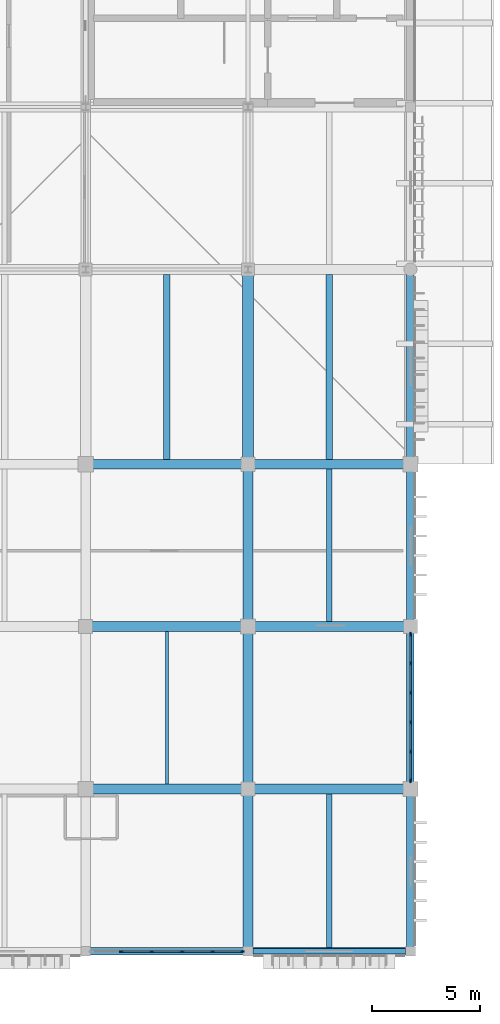
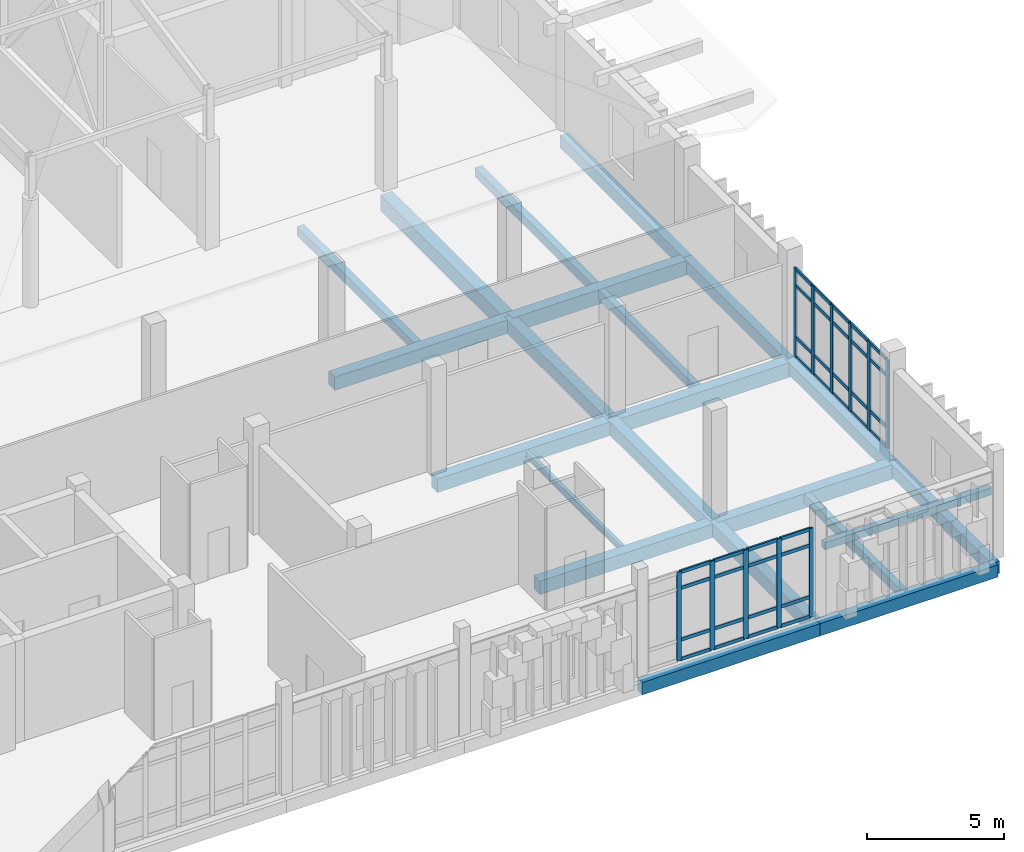
# One storey, part 65 of 131: 47 members, 22 beams, 2 elements without a shape of their own.
"""IFC4 building model written with IfcOpenShell, lengths in metres."""

from ifc_helpers import new_model, si_unit, direction, frame, origin, origin_2d, place, context, subcontext, project, spatial, rectangle, i_section, extrude, material, layer, layer_set, material_profile, profile_set, type_object, element, aggregate, save


model = new_model("IFC4")

# Units and contexts
model_context = context("Model", 3, precision=1e-05, world=origin(), true_north=direction((0.0, 1.0)))
body_context = subcontext(model_context, "Body", "Model", "MODEL_VIEW")
ifc_project = project(units=[si_unit("LENGTHUNIT", "METRE"), si_unit("AREAUNIT", "SQUARE_METRE"), si_unit("VOLUMEUNIT", "CUBIC_METRE"), si_unit("PLANEANGLEUNIT", "RADIAN"), si_unit("MASSUNIT", "GRAM", prefix="KILO")], contexts=[model_context])

# Site, building, storey
site_placement = place(None, origin())
site = spatial("IfcSite", under=ifc_project, at=site_placement, CompositionType="ELEMENT")
building_placement = place(site_placement, origin())
building = spatial("IfcBuilding", under=site, at=building_placement, Name="Dalvernix Boulevard General Hospital", CompositionType="ELEMENT")
storey_placement = place(building_placement, frame((0.0, 0.0, 9.300048828125)))
storey = spatial("IfcBuildingStorey", under=building, at=storey_placement, Name="L02", CompositionType="ELEMENT", Elevation=9.300048828125)

# Beams
ifc_material_1 = material(Name="Concrete C35/45", Category="concrete")
ifc_material_profile_1 = material_profile(ifc_material_1, rectangle(XDim=0.5, YDim=0.699951171875, at=origin_2d()), Name="RCB 500x700")
ifc_profile_set_1 = profile_set([ifc_material_profile_1], Name="Concrete C35/45")
beam_type_1 = type_object("IfcBeamType", Name="BM-B-01-I", PredefinedType="BEAM", material=ifc_profile_set_1)
beam_1_placement = place(storey_placement, frame((165.0, 22.5, -0.670166015625), z_axis=(0.0, 1.0, 0.0), x_axis=(-1.0, 0.0, 0.0)))
element("IfcBeam", 1, at=beam_1_placement, inside=storey, type_object=beam_type_1, Name="L02 N-S girder 23:D-E", PredefinedType="BEAM", context=body_context, shape_type="SweptSolid", body=[
    extrude(rectangle(XDim=0.5, YDim=0.699951171875, at=origin_2d()), origin(), (0.0, 0.0, 1.0), 9.0),
])
ifc_material_profile_2 = material_profile(ifc_material_1, rectangle(XDim=0.449951171875, YDim=0.64990234375, at=origin_2d()), Name="RCB 450x650")
ifc_profile_set_2 = profile_set([ifc_material_profile_2], Name="Concrete C35/45")
beam_type_2 = type_object("IfcBeamType", Name="BM-B-03-I", PredefinedType="BEAM", material=ifc_profile_set_2)
for number, where, z_axis, x_axis, name in (
    (2, (165.0, 7.5, -0.64501953125), (1.0, 0.0, 0.0), (0.0, 1.0, 0.0), "L02 E-W girder B:23-24"),
    (3, (165.0, 15.0, -0.64501953125), (1.0, 0.0, 0.0), (0.0, 1.0, 0.0), "L02 E-W girder C:23-24"),
    (4, (165.0, 22.5, -0.64501953125), (1.0, 0.0, 0.0), (0.0, 1.0, 0.0), "L02 E-W girder D:23-24"),
):
    element("IfcBeam", number, at=place(storey_placement, frame(where, z_axis=z_axis, x_axis=x_axis)), inside=storey, type_object=beam_type_2, Name=name, PredefinedType="BEAM", context=body_context, shape_type="SweptSolid", body=[
        extrude(rectangle(XDim=0.449951171875, YDim=0.64990234375, at=origin_2d()), origin(), (0.0, 0.0, 1.0), 7.5),
    ])
ifc_material_profile_3 = material_profile(ifc_material_1, rectangle(XDim=0.449951171875, YDim=0.60009765625, at=origin_2d()), Name="RCB 450x600")
ifc_profile_set_3 = profile_set([ifc_material_profile_3], Name="Concrete C35/45")
beam_type_3 = type_object("IfcBeamType", Name="BM-B-04-I", PredefinedType="BEAM", material=ifc_profile_set_3)
for number, where, z_axis, x_axis, name in (
    (5, (157.5, 7.5, -0.6201171875), (1.0, 0.0, 0.0), (0.0, 1.0, 0.0), "L02 E-W girder B:22-23"),
    (6, (157.5, 15.0, -0.6201171875), (1.0, 0.0, 0.0), (0.0, 1.0, 0.0), "L02 E-W girder C:22-23"),
    (7, (157.5, 22.5, -0.6201171875), (1.0, 0.0, 0.0), (0.0, 1.0, 0.0), "L02 E-W girder D:22-23"),
    (8, (165.0, 0.0, -0.6201171875), (0.0, 1.0, 0.0), (-1.0, 0.0, 0.0), "L02 N-S girder 23:A-B"),
    (9, (165.0, 7.5, -0.6201171875), (0.0, 1.0, 0.0), (-1.0, 0.0, 0.0), "L02 N-S girder 23:B-C"),
    (10, (165.0, 15.0, -0.6201171875), (0.0, 1.0, 0.0), (-1.0, 0.0, 0.0), "L02 N-S girder 23:C-D"),
):
    element("IfcBeam", number, at=place(storey_placement, frame(where, z_axis=z_axis, x_axis=x_axis)), inside=storey, type_object=beam_type_3, Name=name, PredefinedType="BEAM", context=body_context, shape_type="SweptSolid", body=[
        extrude(rectangle(XDim=0.449951171875, YDim=0.60009765625, at=origin_2d()), origin(), (0.0, 0.0, 1.0), 7.5),
    ])
ifc_material_profile_4 = material_profile(ifc_material_1, rectangle(XDim=0.300048828125, YDim=0.39990234375, at=origin_2d()), Name="RCB 300x400")
ifc_profile_set_4 = profile_set([ifc_material_profile_4], Name="Concrete C35/45")
beam_type_4 = type_object("IfcBeamType", Name="BM-JB-01", PredefinedType="JOIST", material=ifc_profile_set_4)
for number, where, z_axis, x_axis, name in (
    (11, (161.25, 22.72509765625, -0.52001953125), (0.0, 1.0, 0.0), (-1.0, 0.0, 0.0), "L02 secondary floor beam 22-D"),
    (12, (168.75, 22.72509765625, -0.52001953125), (0.0, 1.0, 0.0), (-1.0, 0.0, 0.0), "L02 secondary floor beam 23-D"),
):
    element("IfcBeam", number, at=place(storey_placement, frame(where, z_axis=z_axis, x_axis=x_axis)), inside=storey, type_object=beam_type_4, Name=name, PredefinedType="JOIST", context=body_context, shape_type="SweptSolid", body=[
        extrude(rectangle(XDim=0.300048828125, YDim=0.39990234375, at=origin_2d()), origin(), (0.0, 0.0, 1.0), 8.5498046875),
    ])
ifc_material_profile_5 = material_profile(ifc_material_1, rectangle(XDim=0.25, YDim=0.39990234375, at=origin_2d()), Name="RCB 250x400")
ifc_profile_set_5 = profile_set([ifc_material_profile_5], Name="Concrete C35/45")
beam_type_5 = type_object("IfcBeamType", Name="BM-JB-02", PredefinedType="JOIST", material=ifc_profile_set_5)
beam_2_placement = place(storey_placement, frame((168.75, 0.175048828125, -0.52001953125), z_axis=(0.0, 1.0, 0.0), x_axis=(-1.0, 0.0, 0.0)))
element("IfcBeam", 13, at=beam_2_placement, inside=storey, type_object=beam_type_5, Name="L02 secondary floor beam 23-A", PredefinedType="JOIST", context=body_context, shape_type="SweptSolid", body=[
    extrude(rectangle(XDim=0.25, YDim=0.39990234375, at=origin_2d()), origin(), (0.0, 0.0, 1.0), 7.099853515625),
])
beam_3_placement = place(storey_placement, frame((168.75, 15.22509765625, -0.52001953125), z_axis=(0.0, 1.0, 0.0), x_axis=(-1.0, 0.0, 0.0)))
element("IfcBeam", 14, at=beam_3_placement, inside=storey, type_object=beam_type_5, Name="L02 secondary floor beam 23-C", PredefinedType="JOIST", context=body_context, shape_type="SweptSolid", body=[
    extrude(rectangle(XDim=0.25, YDim=0.39990234375, at=origin_2d()), origin(), (0.0, 0.0, 1.0), 7.0498046875),
])
ifc_material_2 = material(Name="Steel S355", Category="steel")
ifc_material_profile_6 = material_profile(ifc_material_2, i_section(OverallWidth=0.14990234375, OverallDepth=0.300048828125, WebThickness=0.007080078125, FlangeThickness=0.0107421875, FilletRadius=0.014892578125, at=origin_2d()), Name="IPE 300")
ifc_profile_set_6 = profile_set([ifc_material_profile_6], Name="Steel S355")
beam_type_6 = type_object("IfcBeamType", Name="BM-JB-03", PredefinedType="JOIST", material=ifc_profile_set_6)
beam_4_placement = place(storey_placement, frame((161.25, 7.72509765625, -0.469970703125), z_axis=(0.0, 1.0, 0.0), x_axis=(-1.0, 0.0, 0.0)))
element("IfcBeam", 15, at=beam_4_placement, inside=storey, type_object=beam_type_6, Name="L02 secondary floor beam 22-B", PredefinedType="JOIST", context=body_context, shape_type="SweptSolid", body=[
    extrude(i_section(OverallWidth=0.14990234375, OverallDepth=0.300048828125, WebThickness=0.007080078125, FlangeThickness=0.0107421875, FilletRadius=0.014892578125, at=origin_2d()), origin(), (0.0, 0.0, 1.0), 7.0498046875),
])
ifc_material_3 = material(Name="Precast concrete C40/50", Category="concrete")
ifc_material_profile_7 = material_profile(ifc_material_3, rectangle(XDim=0.25, YDim=0.320068359375, at=origin_2d()), Name="RCL 250x320")
ifc_profile_set_7 = profile_set([ifc_material_profile_7], Name="Precast concrete C40/50")
beam_type_7 = type_object("IfcBeamType", Name="BM-LB-01", PredefinedType="LINTEL", material=ifc_profile_set_7)
beam_5_placement = place(storey_placement, frame((172.264892578125, 0.0, 3.010009765625), z_axis=(-1.0, 0.0, 0.0), x_axis=(0.0, -1.0, 0.0)))
element("IfcBeam", 16, at=beam_5_placement, inside=storey, type_object=beam_type_7, Name="L02 precast window lintel S 22-0", PredefinedType="LINTEL", context=body_context, shape_type="SweptSolid", body=[
    extrude(rectangle(XDim=0.25, YDim=0.320068359375, at=origin_2d()), origin(), (0.0, 0.0, 1.0), 7.02978515625),
])
ifc_material_profile_8 = material_profile(ifc_material_1, rectangle(XDim=0.35009765625, YDim=0.550048828125, at=origin_2d()), Name="RCB 350x550")
ifc_profile_set_8 = profile_set([ifc_material_profile_8], Name="Concrete C35/45")
beam_type_8 = type_object("IfcBeamType", Name="BM-SB-01-E", PredefinedType="SPANDREL", material=ifc_profile_set_8)
for number, where, z_axis, x_axis, name in (
    (17, (157.5, 0.0, -0.594970703125), (1.0, 0.0, 0.0), (0.0, 1.0, 0.0), "L02 E-W girder A:22-23"),
    (18, (165.0, 0.0, -0.594970703125), (1.0, 0.0, 0.0), (0.0, 1.0, 0.0), "L02 E-W girder A:23-24"),
    (19, (172.5, 0.0, -0.594970703125), (0.0, 1.0, 0.0), (-1.0, 0.0, 0.0), "L02 N-S girder 24:A-B"),
    (20, (172.5, 7.5, -0.594970703125), (0.0, 1.0, 0.0), (-1.0, 0.0, 0.0), "L02 N-S girder 24:B-C"),
    (21, (172.5, 15.0, -0.594970703125), (0.0, 1.0, 0.0), (-1.0, 0.0, 0.0), "L02 N-S girder 24:C-D"),
):
    element("IfcBeam", number, at=place(storey_placement, frame(where, z_axis=z_axis, x_axis=x_axis)), inside=storey, type_object=beam_type_8, Name=name, PredefinedType="SPANDREL", context=body_context, shape_type="SweptSolid", body=[
        extrude(rectangle(XDim=0.35009765625, YDim=0.550048828125, at=origin_2d()), origin(), (0.0, 0.0, 1.0), 7.5),
    ])
beam_6_placement = place(storey_placement, frame((172.5, 22.5, -0.594970703125), z_axis=(0.0, 1.0, 0.0), x_axis=(-1.0, 0.0, 0.0)))
element("IfcBeam", 22, at=beam_6_placement, inside=storey, type_object=beam_type_8, Name="L02 N-S girder 24:D-E", PredefinedType="SPANDREL", context=body_context, shape_type="SweptSolid", body=[
    extrude(rectangle(XDim=0.35009765625, YDim=0.550048828125, at=origin_2d()), origin(), (0.0, 0.0, 1.0), 9.0),
])

# Curtain wall, members
ifc_material_4 = material(Name="Thermally broken aluminium and solar-control glass curtain wall", Category="aluminium")
ifc_layer_1 = layer(ifc_material_4, 0.199951171875)
ifc_layer_set_1 = layer_set([ifc_layer_1], Name="Thermally broken aluminium and solar-control glass curtain wall (CW-CW-C-70x40)")
curtain_wall_type_1 = type_object("IfcCurtainWallType", Name="CW-CW-C-70x40", PredefinedType="USERDEFINED", material=ifc_layer_set_1)
curtain_wall_1_placement = place(storey_placement, origin())
curtain_wall_1 = element("IfcCurtainWall", 23, at=curtain_wall_1_placement, inside=storey, type_object=curtain_wall_type_1, Name="L02 curtain wall CW-C-70x40 21-0", ObjectType="GLAZED FACADE", PredefinedType="USERDEFINED")
ifc_material_5 = material(Name="Aluminium EN AW-6060", Category="aluminium")
ifc_material_profile_9 = material_profile(ifc_material_5, rectangle(XDim=0.070068359375, YDim=0.199951171875, at=origin_2d()), Name="ALU MULL 70x200")
ifc_profile_set_9 = profile_set([ifc_material_profile_9], Name="Aluminium EN AW-6060")
member_type_1 = type_object("IfcMemberType", Name="MEM-CW-M3", PredefinedType="MULLION", material=ifc_profile_set_9)
member_1_placement = place(storey_placement, frame((164.72998046875, 0.0, 0.0), z_axis=(0.0, 0.0, 1.0), x_axis=(0.0, -1.0, 0.0)))
member_1 = element("IfcMember", 24, at=member_1_placement, type_object=member_type_1, Name="CW-C-70x40 mullion 1", PredefinedType="MULLION", context=body_context, shape_type="SweptSolid", body=[
    extrude(rectangle(XDim=0.070068359375, YDim=0.199951171875, at=origin_2d()), origin(), (0.0, 0.0, 1.0), 3.949951171875),
])
member_2_placement = place(storey_placement, frame((163.35888671875, 0.0, 0.0), z_axis=(0.0, 0.0, 1.0), x_axis=(0.0, -1.0, 0.0)))
member_2 = element("IfcMember", 25, at=member_2_placement, type_object=member_type_1, Name="CW-C-70x40 mullion 2", PredefinedType="MULLION", context=body_context, shape_type="SweptSolid", body=[
    extrude(rectangle(XDim=0.070068359375, YDim=0.199951171875, at=origin_2d()), origin(), (0.0, 0.0, 1.0), 3.949951171875),
])
member_3_placement = place(storey_placement, frame((161.952880859375, 0.0, 0.0), z_axis=(0.0, 0.0, 1.0), x_axis=(0.0, -1.0, 0.0)))
member_3 = element("IfcMember", 26, at=member_3_placement, type_object=member_type_1, Name="CW-C-70x40 mullion 3", PredefinedType="MULLION", context=body_context, shape_type="SweptSolid", body=[
    extrude(rectangle(XDim=0.070068359375, YDim=0.199951171875, at=origin_2d()), origin(), (0.0, 0.0, 1.0), 3.949951171875),
])
member_4_placement = place(storey_placement, frame((160.547119140625, 0.0, 0.0), z_axis=(0.0, 0.0, 1.0), x_axis=(0.0, -1.0, 0.0)))
member_4 = element("IfcMember", 27, at=member_4_placement, type_object=member_type_1, Name="CW-C-70x40 mullion 4", PredefinedType="MULLION", context=body_context, shape_type="SweptSolid", body=[
    extrude(rectangle(XDim=0.070068359375, YDim=0.199951171875, at=origin_2d()), origin(), (0.0, 0.0, 1.0), 3.949951171875),
])
member_5_placement = place(storey_placement, frame((159.14111328125, 0.0, 0.0), z_axis=(0.0, 0.0, 1.0), x_axis=(0.0, -1.0, 0.0)))
member_5 = element("IfcMember", 28, at=member_5_placement, type_object=member_type_1, Name="CW-C-70x40 mullion 5", PredefinedType="MULLION", context=body_context, shape_type="SweptSolid", body=[
    extrude(rectangle(XDim=0.070068359375, YDim=0.199951171875, at=origin_2d()), origin(), (0.0, 0.0, 1.0), 3.949951171875),
])

ifc_layer_2 = layer(ifc_material_4, 0.199951171875)
ifc_layer_set_2 = layer_set([ifc_layer_2], Name="Thermally broken aluminium and solar-control glass curtain wall (CW-CW-C-68x40)")
curtain_wall_type_2 = type_object("IfcCurtainWallType", Name="CW-CW-C-68x40", PredefinedType="USERDEFINED", material=ifc_layer_set_2)
curtain_wall_2_placement = place(storey_placement, origin())
curtain_wall_2 = element("IfcCurtainWall", 29, at=curtain_wall_2_placement, inside=storey, type_object=curtain_wall_type_2, Name="L02 curtain wall CW-C-68x40 23-1", ObjectType="GLAZED FACADE", PredefinedType="USERDEFINED")
member_6_placement = place(storey_placement, frame((172.5, 14.6298828125, 0.0), z_axis=(0.0, 0.0, 1.0), x_axis=(1.0, 0.0, 0.0)))
member_6 = element("IfcMember", 30, at=member_6_placement, type_object=member_type_1, Name="CW-C-68x40 mullion 1", PredefinedType="MULLION", context=body_context, shape_type="SweptSolid", body=[
    extrude(rectangle(XDim=0.070068359375, YDim=0.199951171875, at=origin_2d()), origin(), (0.0, 0.0, 1.0), 3.949951171875),
])
member_7_placement = place(storey_placement, frame((172.5, 13.303955078125, 0.0), z_axis=(0.0, 0.0, 1.0), x_axis=(1.0, 0.0, 0.0)))
member_7 = element("IfcMember", 31, at=member_7_placement, type_object=member_type_1, Name="CW-C-68x40 mullion 2", PredefinedType="MULLION", context=body_context, shape_type="SweptSolid", body=[
    extrude(rectangle(XDim=0.070068359375, YDim=0.199951171875, at=origin_2d()), origin(), (0.0, 0.0, 1.0), 3.949951171875),
])
member_8_placement = place(storey_placement, frame((172.5, 11.943115234375, 0.0), z_axis=(0.0, 0.0, 1.0), x_axis=(1.0, 0.0, 0.0)))
member_8 = element("IfcMember", 32, at=member_8_placement, type_object=member_type_1, Name="CW-C-68x40 mullion 3", PredefinedType="MULLION", context=body_context, shape_type="SweptSolid", body=[
    extrude(rectangle(XDim=0.070068359375, YDim=0.199951171875, at=origin_2d()), origin(), (0.0, 0.0, 1.0), 3.949951171875),
])
member_9_placement = place(storey_placement, frame((172.5, 10.58203125, 0.0), z_axis=(0.0, 0.0, 1.0), x_axis=(1.0, 0.0, 0.0)))
member_9 = element("IfcMember", 33, at=member_9_placement, type_object=member_type_1, Name="CW-C-68x40 mullion 4", PredefinedType="MULLION", context=body_context, shape_type="SweptSolid", body=[
    extrude(rectangle(XDim=0.070068359375, YDim=0.199951171875, at=origin_2d()), origin(), (0.0, 0.0, 1.0), 3.949951171875),
])
member_10_placement = place(storey_placement, frame((172.5, 9.220947265625, 0.0), z_axis=(0.0, 0.0, 1.0), x_axis=(1.0, 0.0, 0.0)))
member_10 = element("IfcMember", 34, at=member_10_placement, type_object=member_type_1, Name="CW-C-68x40 mullion 5", PredefinedType="MULLION", context=body_context, shape_type="SweptSolid", body=[
    extrude(rectangle(XDim=0.070068359375, YDim=0.199951171875, at=origin_2d()), origin(), (0.0, 0.0, 1.0), 3.949951171875),
])
member_11_placement = place(storey_placement, frame((172.5, 7.89501953125, 0.0), z_axis=(0.0, 0.0, 1.0), x_axis=(1.0, 0.0, 0.0)))
member_11 = element("IfcMember", 35, at=member_11_placement, type_object=member_type_1, Name="CW-C-68x40 mullion 6", PredefinedType="MULLION", context=body_context, shape_type="SweptSolid", body=[
    extrude(rectangle(XDim=0.070068359375, YDim=0.199951171875, at=origin_2d()), origin(), (0.0, 0.0, 1.0), 3.949951171875),
])

# Member
ifc_material_profile_10 = material_profile(ifc_material_5, rectangle(XDim=0.070068359375, YDim=0.14990234375, at=origin_2d()), Name="ALU TRAN 70x150")
ifc_profile_set_10 = profile_set([ifc_material_profile_10], Name="Aluminium EN AW-6060")
member_type_2 = type_object("IfcMemberType", Name="MEM-CW-T3", PredefinedType="USERDEFINED", material=ifc_profile_set_10)
member_12_placement = place(storey_placement, frame((164.695068359375, 0.0, 0.034912109375), z_axis=(-1.0, 0.0, 0.0), x_axis=(0.0, -1.0, 0.0)))
member_12 = element("IfcMember", 36, at=member_12_placement, type_object=member_type_2, Name="CW-C-70x40 transom 1.1", ObjectType="TRANSOM", PredefinedType="USERDEFINED", context=body_context, shape_type="SweptSolid", body=[
    extrude(rectangle(XDim=0.070068359375, YDim=0.14990234375, at=origin_2d()), origin(), (0.0, 0.0, 1.0), 1.301025390625),
])

member_13_placement = place(storey_placement, frame((164.695068359375, 0.0, 0.89990234375), z_axis=(-1.0, 0.0, 0.0), x_axis=(0.0, -1.0, 0.0)))
member_13 = element("IfcMember", 37, at=member_13_placement, type_object=member_type_2, Name="CW-C-70x40 transom 1.2", ObjectType="TRANSOM", PredefinedType="USERDEFINED", context=body_context, shape_type="SweptSolid", body=[
    extrude(rectangle(XDim=0.070068359375, YDim=0.14990234375, at=origin_2d()), origin(), (0.0, 0.0, 1.0), 1.301025390625),
])

member_14_placement = place(storey_placement, frame((164.695068359375, 0.0, 3.199951171875), z_axis=(-1.0, 0.0, 0.0), x_axis=(0.0, -1.0, 0.0)))
member_14 = element("IfcMember", 38, at=member_14_placement, type_object=member_type_2, Name="CW-C-70x40 transom 1.3", ObjectType="TRANSOM", PredefinedType="USERDEFINED", context=body_context, shape_type="SweptSolid", body=[
    extrude(rectangle(XDim=0.070068359375, YDim=0.14990234375, at=origin_2d()), origin(), (0.0, 0.0, 1.0), 1.301025390625),
])

member_15_placement = place(storey_placement, frame((164.695068359375, 0.0, 3.9150390625), z_axis=(-1.0, 0.0, 0.0), x_axis=(0.0, -1.0, 0.0)))
member_15 = element("IfcMember", 39, at=member_15_placement, type_object=member_type_2, Name="CW-C-70x40 transom 1.4", ObjectType="TRANSOM", PredefinedType="USERDEFINED", context=body_context, shape_type="SweptSolid", body=[
    extrude(rectangle(XDim=0.070068359375, YDim=0.14990234375, at=origin_2d()), origin(), (0.0, 0.0, 1.0), 1.301025390625),
])

member_16_placement = place(storey_placement, frame((163.323974609375, 0.0, 0.034912109375), z_axis=(-1.0, 0.0, 0.0), x_axis=(0.0, -1.0, 0.0)))
member_16 = element("IfcMember", 40, at=member_16_placement, type_object=member_type_2, Name="CW-C-70x40 transom 2.1", ObjectType="TRANSOM", PredefinedType="USERDEFINED", context=body_context, shape_type="SweptSolid", body=[
    extrude(rectangle(XDim=0.070068359375, YDim=0.14990234375, at=origin_2d()), origin(), (0.0, 0.0, 1.0), 1.3359375),
])

member_17_placement = place(storey_placement, frame((163.323974609375, 0.0, 0.89990234375), z_axis=(-1.0, 0.0, 0.0), x_axis=(0.0, -1.0, 0.0)))
member_17 = element("IfcMember", 41, at=member_17_placement, type_object=member_type_2, Name="CW-C-70x40 transom 2.2", ObjectType="TRANSOM", PredefinedType="USERDEFINED", context=body_context, shape_type="SweptSolid", body=[
    extrude(rectangle(XDim=0.070068359375, YDim=0.14990234375, at=origin_2d()), origin(), (0.0, 0.0, 1.0), 1.3359375),
])

member_18_placement = place(storey_placement, frame((163.323974609375, 0.0, 3.199951171875), z_axis=(-1.0, 0.0, 0.0), x_axis=(0.0, -1.0, 0.0)))
member_18 = element("IfcMember", 42, at=member_18_placement, type_object=member_type_2, Name="CW-C-70x40 transom 2.3", ObjectType="TRANSOM", PredefinedType="USERDEFINED", context=body_context, shape_type="SweptSolid", body=[
    extrude(rectangle(XDim=0.070068359375, YDim=0.14990234375, at=origin_2d()), origin(), (0.0, 0.0, 1.0), 1.3359375),
])

member_19_placement = place(storey_placement, frame((163.323974609375, 0.0, 3.9150390625), z_axis=(-1.0, 0.0, 0.0), x_axis=(0.0, -1.0, 0.0)))
member_19 = element("IfcMember", 43, at=member_19_placement, type_object=member_type_2, Name="CW-C-70x40 transom 2.4", ObjectType="TRANSOM", PredefinedType="USERDEFINED", context=body_context, shape_type="SweptSolid", body=[
    extrude(rectangle(XDim=0.070068359375, YDim=0.14990234375, at=origin_2d()), origin(), (0.0, 0.0, 1.0), 1.3359375),
])

member_20_placement = place(storey_placement, frame((161.91796875, 0.0, 0.034912109375), z_axis=(-1.0, 0.0, 0.0), x_axis=(0.0, -1.0, 0.0)))
member_20 = element("IfcMember", 44, at=member_20_placement, type_object=member_type_2, Name="CW-C-70x40 transom 3.1", ObjectType="TRANSOM", PredefinedType="USERDEFINED", context=body_context, shape_type="SweptSolid", body=[
    extrude(rectangle(XDim=0.070068359375, YDim=0.14990234375, at=origin_2d()), origin(), (0.0, 0.0, 1.0), 1.3359375),
])

member_21_placement = place(storey_placement, frame((161.91796875, 0.0, 0.89990234375), z_axis=(-1.0, 0.0, 0.0), x_axis=(0.0, -1.0, 0.0)))
member_21 = element("IfcMember", 45, at=member_21_placement, type_object=member_type_2, Name="CW-C-70x40 transom 3.2", ObjectType="TRANSOM", PredefinedType="USERDEFINED", context=body_context, shape_type="SweptSolid", body=[
    extrude(rectangle(XDim=0.070068359375, YDim=0.14990234375, at=origin_2d()), origin(), (0.0, 0.0, 1.0), 1.3359375),
])

member_22_placement = place(storey_placement, frame((161.91796875, 0.0, 3.199951171875), z_axis=(-1.0, 0.0, 0.0), x_axis=(0.0, -1.0, 0.0)))
member_22 = element("IfcMember", 46, at=member_22_placement, type_object=member_type_2, Name="CW-C-70x40 transom 3.3", ObjectType="TRANSOM", PredefinedType="USERDEFINED", context=body_context, shape_type="SweptSolid", body=[
    extrude(rectangle(XDim=0.070068359375, YDim=0.14990234375, at=origin_2d()), origin(), (0.0, 0.0, 1.0), 1.3359375),
])

member_23_placement = place(storey_placement, frame((161.91796875, 0.0, 3.9150390625), z_axis=(-1.0, 0.0, 0.0), x_axis=(0.0, -1.0, 0.0)))
member_23 = element("IfcMember", 47, at=member_23_placement, type_object=member_type_2, Name="CW-C-70x40 transom 3.4", ObjectType="TRANSOM", PredefinedType="USERDEFINED", context=body_context, shape_type="SweptSolid", body=[
    extrude(rectangle(XDim=0.070068359375, YDim=0.14990234375, at=origin_2d()), origin(), (0.0, 0.0, 1.0), 1.3359375),
])

member_24_placement = place(storey_placement, frame((160.511962890625, 0.0, 0.034912109375), z_axis=(-1.0, 0.0, 0.0), x_axis=(0.0, -1.0, 0.0)))
member_24 = element("IfcMember", 48, at=member_24_placement, type_object=member_type_2, Name="CW-C-70x40 transom 4.1", ObjectType="TRANSOM", PredefinedType="USERDEFINED", context=body_context, shape_type="SweptSolid", body=[
    extrude(rectangle(XDim=0.070068359375, YDim=0.14990234375, at=origin_2d()), origin(), (0.0, 0.0, 1.0), 1.3359375),
])

member_25_placement = place(storey_placement, frame((160.511962890625, 0.0, 0.89990234375), z_axis=(-1.0, 0.0, 0.0), x_axis=(0.0, -1.0, 0.0)))
member_25 = element("IfcMember", 49, at=member_25_placement, type_object=member_type_2, Name="CW-C-70x40 transom 4.2", ObjectType="TRANSOM", PredefinedType="USERDEFINED", context=body_context, shape_type="SweptSolid", body=[
    extrude(rectangle(XDim=0.070068359375, YDim=0.14990234375, at=origin_2d()), origin(), (0.0, 0.0, 1.0), 1.3359375),
])

member_26_placement = place(storey_placement, frame((160.511962890625, 0.0, 3.199951171875), z_axis=(-1.0, 0.0, 0.0), x_axis=(0.0, -1.0, 0.0)))
member_26 = element("IfcMember", 50, at=member_26_placement, type_object=member_type_2, Name="CW-C-70x40 transom 4.3", ObjectType="TRANSOM", PredefinedType="USERDEFINED", context=body_context, shape_type="SweptSolid", body=[
    extrude(rectangle(XDim=0.070068359375, YDim=0.14990234375, at=origin_2d()), origin(), (0.0, 0.0, 1.0), 1.3359375),
])

member_27_placement = place(storey_placement, frame((160.511962890625, 0.0, 3.9150390625), z_axis=(-1.0, 0.0, 0.0), x_axis=(0.0, -1.0, 0.0)))
member_27 = element("IfcMember", 51, at=member_27_placement, type_object=member_type_2, Name="CW-C-70x40 transom 4.4", ObjectType="TRANSOM", PredefinedType="USERDEFINED", context=body_context, shape_type="SweptSolid", body=[
    extrude(rectangle(XDim=0.070068359375, YDim=0.14990234375, at=origin_2d()), origin(), (0.0, 0.0, 1.0), 1.3359375),
])

aggregate(curtain_wall_1, [member_1, member_2, member_3, member_4, member_5, member_12, member_13, member_14, member_15, member_16, member_17, member_18, member_19, member_20, member_21, member_22, member_23, member_24, member_25, member_26, member_27])

member_28_placement = place(storey_placement, frame((172.5, 14.594970703125, 0.034912109375), z_axis=(0.0, -1.0, 0.0), x_axis=(1.0, 0.0, 0.0)))
member_28 = element("IfcMember", 52, at=member_28_placement, type_object=member_type_2, Name="CW-C-68x40 transom 1.1", ObjectType="TRANSOM", PredefinedType="USERDEFINED", context=body_context, shape_type="SweptSolid", body=[
    extrude(rectangle(XDim=0.070068359375, YDim=0.14990234375, at=origin_2d()), origin(), (0.0, 0.0, 1.0), 1.255859375),
])

member_29_placement = place(storey_placement, frame((172.5, 14.594970703125, 0.89990234375), z_axis=(0.0, -1.0, 0.0), x_axis=(1.0, 0.0, 0.0)))
member_29 = element("IfcMember", 53, at=member_29_placement, type_object=member_type_2, Name="CW-C-68x40 transom 1.2", ObjectType="TRANSOM", PredefinedType="USERDEFINED", context=body_context, shape_type="SweptSolid", body=[
    extrude(rectangle(XDim=0.070068359375, YDim=0.14990234375, at=origin_2d()), origin(), (0.0, 0.0, 1.0), 1.255859375),
])

member_30_placement = place(storey_placement, frame((172.5, 14.594970703125, 3.199951171875), z_axis=(0.0, -1.0, 0.0), x_axis=(1.0, 0.0, 0.0)))
member_30 = element("IfcMember", 54, at=member_30_placement, type_object=member_type_2, Name="CW-C-68x40 transom 1.3", ObjectType="TRANSOM", PredefinedType="USERDEFINED", context=body_context, shape_type="SweptSolid", body=[
    extrude(rectangle(XDim=0.070068359375, YDim=0.14990234375, at=origin_2d()), origin(), (0.0, 0.0, 1.0), 1.255859375),
])

member_31_placement = place(storey_placement, frame((172.5, 14.594970703125, 3.9150390625), z_axis=(0.0, -1.0, 0.0), x_axis=(1.0, 0.0, 0.0)))
member_31 = element("IfcMember", 55, at=member_31_placement, type_object=member_type_2, Name="CW-C-68x40 transom 1.4", ObjectType="TRANSOM", PredefinedType="USERDEFINED", context=body_context, shape_type="SweptSolid", body=[
    extrude(rectangle(XDim=0.070068359375, YDim=0.14990234375, at=origin_2d()), origin(), (0.0, 0.0, 1.0), 1.255859375),
])

member_32_placement = place(storey_placement, frame((172.5, 13.26904296875, 0.034912109375), z_axis=(0.0, -1.0, 0.0), x_axis=(1.0, 0.0, 0.0)))
member_32 = element("IfcMember", 56, at=member_32_placement, type_object=member_type_2, Name="CW-C-68x40 transom 2.1", ObjectType="TRANSOM", PredefinedType="USERDEFINED", context=body_context, shape_type="SweptSolid", body=[
    extrude(rectangle(XDim=0.070068359375, YDim=0.14990234375, at=origin_2d()), origin(), (0.0, 0.0, 1.0), 1.291015625),
])

member_33_placement = place(storey_placement, frame((172.5, 13.26904296875, 0.89990234375), z_axis=(0.0, -1.0, 0.0), x_axis=(1.0, 0.0, 0.0)))
member_33 = element("IfcMember", 57, at=member_33_placement, type_object=member_type_2, Name="CW-C-68x40 transom 2.2", ObjectType="TRANSOM", PredefinedType="USERDEFINED", context=body_context, shape_type="SweptSolid", body=[
    extrude(rectangle(XDim=0.070068359375, YDim=0.14990234375, at=origin_2d()), origin(), (0.0, 0.0, 1.0), 1.291015625),
])

member_34_placement = place(storey_placement, frame((172.5, 13.26904296875, 3.199951171875), z_axis=(0.0, -1.0, 0.0), x_axis=(1.0, 0.0, 0.0)))
member_34 = element("IfcMember", 58, at=member_34_placement, type_object=member_type_2, Name="CW-C-68x40 transom 2.3", ObjectType="TRANSOM", PredefinedType="USERDEFINED", context=body_context, shape_type="SweptSolid", body=[
    extrude(rectangle(XDim=0.070068359375, YDim=0.14990234375, at=origin_2d()), origin(), (0.0, 0.0, 1.0), 1.291015625),
])

member_35_placement = place(storey_placement, frame((172.5, 13.26904296875, 3.9150390625), z_axis=(0.0, -1.0, 0.0), x_axis=(1.0, 0.0, 0.0)))
member_35 = element("IfcMember", 59, at=member_35_placement, type_object=member_type_2, Name="CW-C-68x40 transom 2.4", ObjectType="TRANSOM", PredefinedType="USERDEFINED", context=body_context, shape_type="SweptSolid", body=[
    extrude(rectangle(XDim=0.070068359375, YDim=0.14990234375, at=origin_2d()), origin(), (0.0, 0.0, 1.0), 1.291015625),
])

member_36_placement = place(storey_placement, frame((172.5, 11.907958984375, 0.034912109375), z_axis=(0.0, -1.0, 0.0), x_axis=(1.0, 0.0, 0.0)))
member_36 = element("IfcMember", 60, at=member_36_placement, type_object=member_type_2, Name="CW-C-68x40 transom 3.1", ObjectType="TRANSOM", PredefinedType="USERDEFINED", context=body_context, shape_type="SweptSolid", body=[
    extrude(rectangle(XDim=0.070068359375, YDim=0.14990234375, at=origin_2d()), origin(), (0.0, 0.0, 1.0), 1.291015625),
])

member_37_placement = place(storey_placement, frame((172.5, 11.907958984375, 0.89990234375), z_axis=(0.0, -1.0, 0.0), x_axis=(1.0, 0.0, 0.0)))
member_37 = element("IfcMember", 61, at=member_37_placement, type_object=member_type_2, Name="CW-C-68x40 transom 3.2", ObjectType="TRANSOM", PredefinedType="USERDEFINED", context=body_context, shape_type="SweptSolid", body=[
    extrude(rectangle(XDim=0.070068359375, YDim=0.14990234375, at=origin_2d()), origin(), (0.0, 0.0, 1.0), 1.291015625),
])

member_38_placement = place(storey_placement, frame((172.5, 11.907958984375, 3.199951171875), z_axis=(0.0, -1.0, 0.0), x_axis=(1.0, 0.0, 0.0)))
member_38 = element("IfcMember", 62, at=member_38_placement, type_object=member_type_2, Name="CW-C-68x40 transom 3.3", ObjectType="TRANSOM", PredefinedType="USERDEFINED", context=body_context, shape_type="SweptSolid", body=[
    extrude(rectangle(XDim=0.070068359375, YDim=0.14990234375, at=origin_2d()), origin(), (0.0, 0.0, 1.0), 1.291015625),
])

member_39_placement = place(storey_placement, frame((172.5, 11.907958984375, 3.9150390625), z_axis=(0.0, -1.0, 0.0), x_axis=(1.0, 0.0, 0.0)))
member_39 = element("IfcMember", 63, at=member_39_placement, type_object=member_type_2, Name="CW-C-68x40 transom 3.4", ObjectType="TRANSOM", PredefinedType="USERDEFINED", context=body_context, shape_type="SweptSolid", body=[
    extrude(rectangle(XDim=0.070068359375, YDim=0.14990234375, at=origin_2d()), origin(), (0.0, 0.0, 1.0), 1.291015625),
])

member_40_placement = place(storey_placement, frame((172.5, 10.547119140625, 0.034912109375), z_axis=(0.0, -1.0, 0.0), x_axis=(1.0, 0.0, 0.0)))
member_40 = element("IfcMember", 64, at=member_40_placement, type_object=member_type_2, Name="CW-C-68x40 transom 4.1", ObjectType="TRANSOM", PredefinedType="USERDEFINED", context=body_context, shape_type="SweptSolid", body=[
    extrude(rectangle(XDim=0.070068359375, YDim=0.14990234375, at=origin_2d()), origin(), (0.0, 0.0, 1.0), 1.291015625),
])

member_41_placement = place(storey_placement, frame((172.5, 10.547119140625, 0.89990234375), z_axis=(0.0, -1.0, 0.0), x_axis=(1.0, 0.0, 0.0)))
member_41 = element("IfcMember", 65, at=member_41_placement, type_object=member_type_2, Name="CW-C-68x40 transom 4.2", ObjectType="TRANSOM", PredefinedType="USERDEFINED", context=body_context, shape_type="SweptSolid", body=[
    extrude(rectangle(XDim=0.070068359375, YDim=0.14990234375, at=origin_2d()), origin(), (0.0, 0.0, 1.0), 1.291015625),
])

member_42_placement = place(storey_placement, frame((172.5, 10.547119140625, 3.199951171875), z_axis=(0.0, -1.0, 0.0), x_axis=(1.0, 0.0, 0.0)))
member_42 = element("IfcMember", 66, at=member_42_placement, type_object=member_type_2, Name="CW-C-68x40 transom 4.3", ObjectType="TRANSOM", PredefinedType="USERDEFINED", context=body_context, shape_type="SweptSolid", body=[
    extrude(rectangle(XDim=0.070068359375, YDim=0.14990234375, at=origin_2d()), origin(), (0.0, 0.0, 1.0), 1.291015625),
])

member_43_placement = place(storey_placement, frame((172.5, 10.547119140625, 3.9150390625), z_axis=(0.0, -1.0, 0.0), x_axis=(1.0, 0.0, 0.0)))
member_43 = element("IfcMember", 67, at=member_43_placement, type_object=member_type_2, Name="CW-C-68x40 transom 4.4", ObjectType="TRANSOM", PredefinedType="USERDEFINED", context=body_context, shape_type="SweptSolid", body=[
    extrude(rectangle(XDim=0.070068359375, YDim=0.14990234375, at=origin_2d()), origin(), (0.0, 0.0, 1.0), 1.291015625),
])

member_44_placement = place(storey_placement, frame((172.5, 9.18603515625, 0.034912109375), z_axis=(0.0, -1.0, 0.0), x_axis=(1.0, 0.0, 0.0)))
member_44 = element("IfcMember", 68, at=member_44_placement, type_object=member_type_2, Name="CW-C-68x40 transom 5.1", ObjectType="TRANSOM", PredefinedType="USERDEFINED", context=body_context, shape_type="SweptSolid", body=[
    extrude(rectangle(XDim=0.070068359375, YDim=0.14990234375, at=origin_2d()), origin(), (0.0, 0.0, 1.0), 1.256103515625),
])

member_45_placement = place(storey_placement, frame((172.5, 9.18603515625, 0.89990234375), z_axis=(0.0, -1.0, 0.0), x_axis=(1.0, 0.0, 0.0)))
member_45 = element("IfcMember", 69, at=member_45_placement, type_object=member_type_2, Name="CW-C-68x40 transom 5.2", ObjectType="TRANSOM", PredefinedType="USERDEFINED", context=body_context, shape_type="SweptSolid", body=[
    extrude(rectangle(XDim=0.070068359375, YDim=0.14990234375, at=origin_2d()), origin(), (0.0, 0.0, 1.0), 1.256103515625),
])

member_46_placement = place(storey_placement, frame((172.5, 9.18603515625, 3.199951171875), z_axis=(0.0, -1.0, 0.0), x_axis=(1.0, 0.0, 0.0)))
member_46 = element("IfcMember", 70, at=member_46_placement, type_object=member_type_2, Name="CW-C-68x40 transom 5.3", ObjectType="TRANSOM", PredefinedType="USERDEFINED", context=body_context, shape_type="SweptSolid", body=[
    extrude(rectangle(XDim=0.070068359375, YDim=0.14990234375, at=origin_2d()), origin(), (0.0, 0.0, 1.0), 1.256103515625),
])

member_47_placement = place(storey_placement, frame((172.5, 9.18603515625, 3.9150390625), z_axis=(0.0, -1.0, 0.0), x_axis=(1.0, 0.0, 0.0)))
member_47 = element("IfcMember", 71, at=member_47_placement, type_object=member_type_2, Name="CW-C-68x40 transom 5.4", ObjectType="TRANSOM", PredefinedType="USERDEFINED", context=body_context, shape_type="SweptSolid", body=[
    extrude(rectangle(XDim=0.070068359375, YDim=0.14990234375, at=origin_2d()), origin(), (0.0, 0.0, 1.0), 1.256103515625),
])

aggregate(curtain_wall_2, [member_6, member_7, member_8, member_9, member_10, member_11, member_28, member_29, member_30, member_31, member_32, member_33, member_34, member_35, member_36, member_37, member_38, member_39, member_40, member_41, member_42, member_43, member_44, member_45, member_46, member_47])

save(model, "model.ifc")
